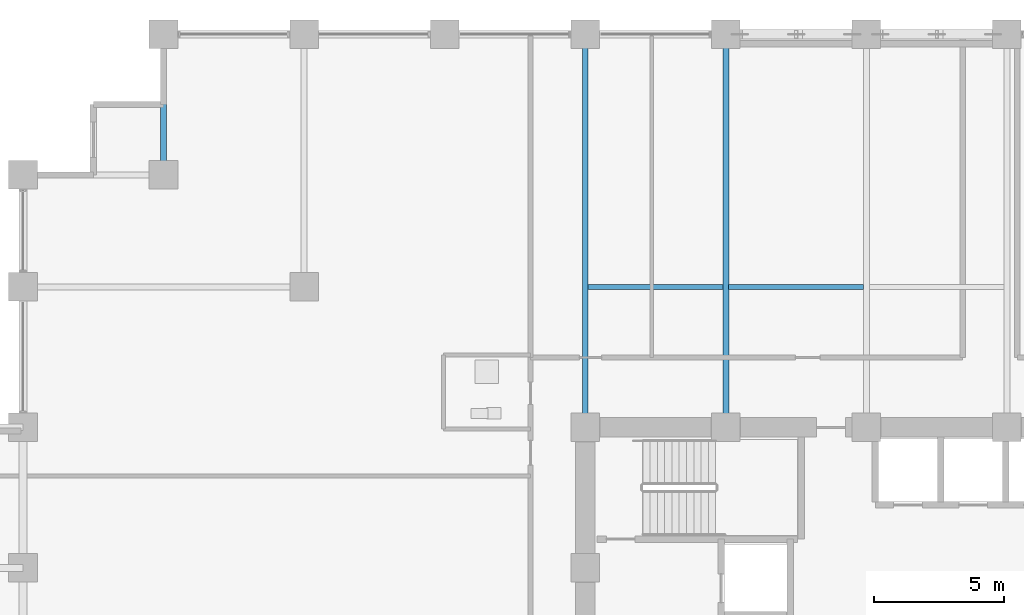
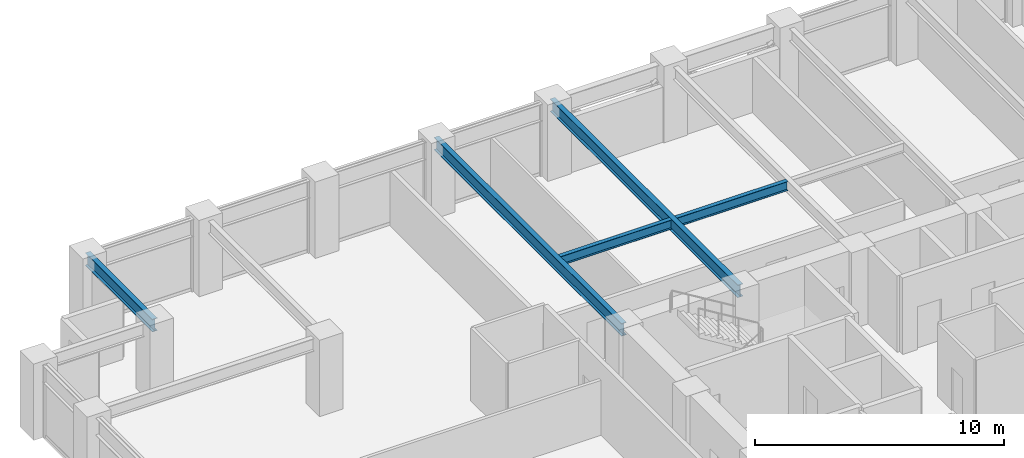
# One storey, part 12 of 25: 5 beams.
"""IFC4 building model written with IfcOpenShell, lengths in metres."""

from ifc_helpers import new_model, si_unit, direction, frame, origin, origin_2d, place, context, subcontext, project, spatial, i_section, extrude, material, material_profile, profile_set, type_object, element, save


model = new_model("IFC4")

# Units and contexts
model_context = context("Model", 3, precision=1e-05, world=origin(), true_north=direction((0.0, 1.0)))
body_context = subcontext(model_context, "Body", "Model", "MODEL_VIEW")
ifc_project = project(units=[si_unit("LENGTHUNIT", "METRE"), si_unit("AREAUNIT", "SQUARE_METRE"), si_unit("VOLUMEUNIT", "CUBIC_METRE"), si_unit("PLANEANGLEUNIT", "RADIAN"), si_unit("MASSUNIT", "GRAM", prefix="KILO")], contexts=[model_context])

# Site, building, storey
site_placement = place(None, origin())
site = spatial("IfcSite", under=ifc_project, at=site_placement, CompositionType="ELEMENT")
building_placement = place(site_placement, origin())
building = spatial("IfcBuilding", under=site, at=building_placement, Name="Surkhivell Harbour Commons", CompositionType="ELEMENT")
storey_placement = place(building_placement, frame((0.0, 0.0, 98.25)))
storey = spatial("IfcBuildingStorey", under=building, at=storey_placement, Name="L25", CompositionType="ELEMENT", Elevation=98.25)

# Beams
ifc_material = material(Name="Steel S355", Category="steel")
ifc_material_profile_1 = material_profile(ifc_material, i_section(OverallWidth=0.22998046875, OverallDepth=0.616943359375, WebThickness=0.01318359375, FlangeThickness=0.022216796875, at=origin_2d()), Name="UB610x229x140")
ifc_profile_set_1 = profile_set([ifc_material_profile_1], Name="Steel S355")
beam_type_1 = type_object("IfcBeamType", Name="BM-GRD-610B", PredefinedType="BEAM", material=ifc_profile_set_1)
beam_placement = place(storey_placement, frame((-27.0, 20.5, 3.261474609375), z_axis=(0.0, 1.0, 0.0), x_axis=(-1.0, 0.0, 0.0)))
element("IfcBeam", 1, at=beam_placement, inside=storey, type_object=beam_type_1, Name="L25 Floor Girder (-27.0,20.5)", PredefinedType="BEAM", context=body_context, shape_type="SweptSolid", body=[
    extrude(i_section(OverallWidth=0.22998046875, OverallDepth=0.616943359375, WebThickness=0.01318359375, FlangeThickness=0.022216796875, at=origin_2d()), origin(), (0.0, 0.0, 1.0), 5.39990234375),
])
for number, where, z_axis, x_axis, name in (
    (2, (-10.800048828125, 10.800048828125, 3.261474609375), (0.0, 1.0, 0.0), (-1.0, 0.0, 0.0), "L25 Floor Girder (-10.8,10.8)"),
    (3, (-5.39990234375, 10.800048828125, 3.261474609375), (0.0, 1.0, 0.0), (-1.0, 0.0, 0.0), "L25 Floor Girder (-5.4,10.8)"),
):
    element("IfcBeam", number, at=place(storey_placement, frame(where, z_axis=z_axis, x_axis=x_axis)), inside=storey, type_object=beam_type_1, Name=name, PredefinedType="BEAM", context=body_context, shape_type="SweptSolid", body=[
        extrude(i_section(OverallWidth=0.22998046875, OverallDepth=0.616943359375, WebThickness=0.01318359375, FlangeThickness=0.022216796875, at=origin_2d()), origin(), (0.0, 0.0, 1.0), 15.099853515625),
    ])
ifc_material_profile_2 = material_profile(ifc_material, i_section(OverallWidth=0.18994140625, OverallDepth=0.45703125, WebThickness=0.009033203125, FlangeThickness=0.014404296875, at=origin_2d()), Name="UB457x191x74")
ifc_profile_set_2 = profile_set([ifc_material_profile_2], Name="Steel S355")
beam_type_2 = type_object("IfcBeamType", Name="BM-JST-457B", PredefinedType="JOIST", material=ifc_profile_set_2)
for number, where, z_axis, x_axis, name in (
    (4, (-10.68701171875, 16.199951171875, 3.341552734375), (1.0, 0.0, 0.0), (0.0, 1.0, 0.0), "L25 North Composite Joist (-10.8)"),
    (5, (-5.287109375, 16.199951171875, 3.341552734375), (1.0, 0.0, 0.0), (0.0, 1.0, 0.0), "L25 North Composite Joist (-5.4)"),
):
    element("IfcBeam", number, at=place(storey_placement, frame(where, z_axis=z_axis, x_axis=x_axis)), inside=storey, type_object=beam_type_2, Name=name, PredefinedType="JOIST", context=body_context, shape_type="SweptSolid", body=[
        extrude(i_section(OverallWidth=0.18994140625, OverallDepth=0.45703125, WebThickness=0.009033203125, FlangeThickness=0.014404296875, at=origin_2d()), origin(), (0.0, 0.0, 1.0), 5.174072265625),
    ])

save(model, "model.ifc")
